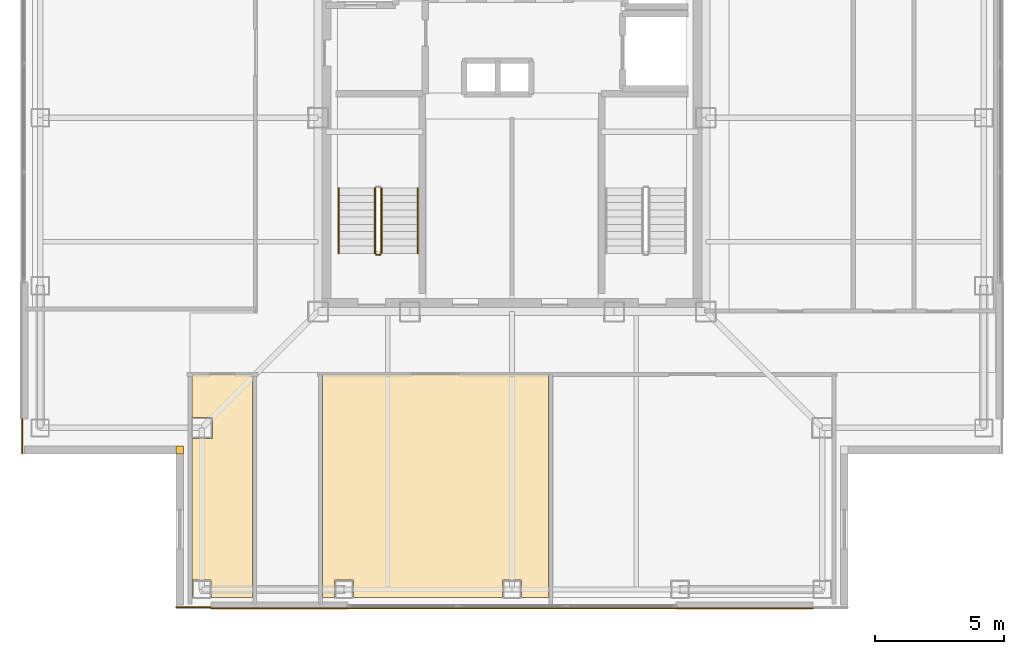
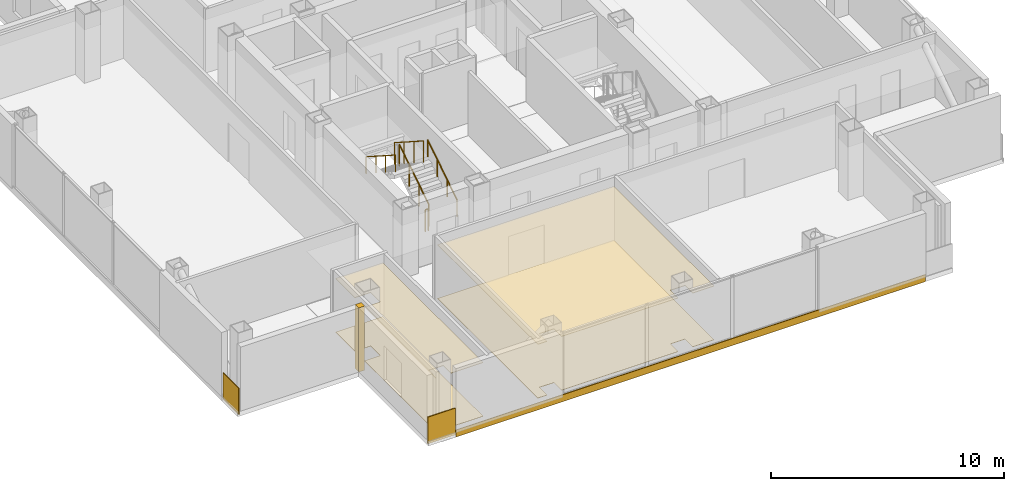
# One storey, part 11 of 16: 8 coverings, 5 railings.
"""IFC4 building model written with IfcOpenShell, lengths in metres."""

import ifcopenshell
import ifcopenshell.guid

model = None  # the IFC model being written
_history = None  # IfcOwnerHistory: only IFC2X3 demands one
_inside = {}  # id of a spatial element -> (the spatial element, [elements in it])
_under = {}  # id of a project, library or spatial element -> (it, [spatial elements below it])
_declared = {}  # id of a project -> (the project, [libraries it declares])
_typed = {}  # id of a type object -> (the type object, [elements of that type])
_made_of = {}  # id of a material, layer set ... -> (it, [elements and type objects made of it])


def new_model(schema):
    """Start an empty IFC model of exactly this schema.

    Asked for "IFC4X3", IfcOpenShell would pick the latest addendum, in which some entities
    have other attributes; the version numbers below select the first issue.
    IFC2X3 requires an IfcOwnerHistory on every rooted entity: one is made here for all.
    """
    global model, _history
    if schema == "IFC4X3":
        model = ifcopenshell.file(schema_version=(4, 3, 0, 0))
    else:
        model = ifcopenshell.file(schema=schema)
    _inside.clear()
    _under.clear()
    _declared.clear()
    _typed.clear()
    _made_of.clear()
    _history = None
    if model.schema == "IFC2X3":
        org = make("IfcOrganization", Name="unknown")
        user = make(
            "IfcPersonAndOrganization",
            ThePerson=make("IfcPerson", FamilyName="unknown"),
            TheOrganization=org,
        )
        app = make(
            "IfcApplication",
            ApplicationDeveloper=org,
            Version="unknown",
            ApplicationFullName="unknown",
            ApplicationIdentifier="unknown",
        )
        _history = make(
            "IfcOwnerHistory",
            OwningUser=user,
            OwningApplication=app,
            ChangeAction="ADDED",
            CreationDate=0,
        )
    return model


def make(cls, **values):
    """One entity of the class cls with the attributes given. An attribute that is None is left unset."""
    return model.create_entity(
        cls, **{name: value for name, value in values.items() if value is not None}
    )


def rooted(cls, **values):
    """An entity with a GlobalId (a new one), such as an element, a storey or a relation."""
    return make(cls, GlobalId=ifcopenshell.guid.new(), OwnerHistory=_history, **values)


def si_unit(unit_type, name, prefix=None):
    """IfcSIUnit, for example si_unit("LENGTHUNIT", "METRE", prefix="MILLI")."""
    return make("IfcSIUnit", UnitType=unit_type, Prefix=prefix, Name=name)


def assignment(units):
    """IfcUnitAssignment: the units of a project."""
    return None if units is None else make("IfcUnitAssignment", Units=units)


def point(xyz):
    """IfcCartesianPoint."""
    return None if xyz is None else make("IfcCartesianPoint", Coordinates=xyz)


def direction(xyz):
    """IfcDirection."""
    return None if xyz is None else make("IfcDirection", DirectionRatios=xyz)


def frame(location, z_axis=None, x_axis=None):
    """IfcAxis2Placement3D, a coordinate frame: its origin and axes. An axis left out is left unset."""
    return make(
        "IfcAxis2Placement3D",
        Location=point(location),
        Axis=direction(z_axis),
        RefDirection=direction(x_axis),
    )


def frame_2d(location, x_axis=None):
    """IfcAxis2Placement2D, a coordinate frame in the plane: its origin and x axis."""
    return make(
        "IfcAxis2Placement2D", Location=point(location), RefDirection=direction(x_axis)
    )


def origin():
    """The frame at (0, 0, 0) with its axes left unset."""
    return frame((0.0, 0.0, 0.0))


def origin_2d():
    """The frame at (0, 0) in the plane with its x axis left unset."""
    return frame_2d((0.0, 0.0))


def place(relative_to, where):
    """IfcLocalPlacement: puts the frame where relative to a parent placement (None: the world)."""
    return make(
        "IfcLocalPlacement", PlacementRelTo=relative_to, RelativePlacement=where
    )


def context(
    kind, dimensions, precision=None, world=None, true_north=None, identifier=None
):
    """IfcGeometricRepresentationContext, for example the 3D "Model" context."""
    return make(
        "IfcGeometricRepresentationContext",
        ContextIdentifier=identifier,
        ContextType=kind,
        CoordinateSpaceDimension=dimensions,
        Precision=precision,
        WorldCoordinateSystem=world,
        TrueNorth=true_north,
    )


def subcontext(parent, identifier, kind, view, scale=None):
    """IfcGeometricRepresentationSubContext, for example "Body" below "Model"."""
    return make(
        "IfcGeometricRepresentationSubContext",
        ContextIdentifier=identifier,
        ContextType=kind,
        ParentContext=parent,
        TargetScale=scale,
        TargetView=view,
    )


def project(units=None, contexts=None):
    """IfcProject with its units and contexts."""
    return rooted(
        "IfcProject",
        Name="project",
        RepresentationContexts=contexts,
        UnitsInContext=assignment(units),
    )


def spatial(cls, under=None, at=None, **own):
    """A site, building, storey or space (cls), placed at a placement, below another one or the project."""
    s = rooted(cls, ObjectPlacement=at, **own)
    if under is not None:
        _under.setdefault(under.id(), (under, []))[1].append(s)
    return s


def polyline(points):
    """IfcPolyline through the points."""
    return make("IfcPolyline", Points=[point(p) for p in points])


def profile(cls, at=None, kind="AREA", **sizes):
    """A parametric profile (cls). Its sizes go by their IFC names, for example OverallWidth=200.0."""
    return make(cls, ProfileType=kind, Position=at, **sizes)


def rectangle(**sizes):
    """IfcRectangleProfileDef."""
    return profile("IfcRectangleProfileDef", **sizes)


def circle(**sizes):
    """IfcCircleProfileDef."""
    return profile("IfcCircleProfileDef", **sizes)


def outline(outer, holes=None, kind="AREA"):
    """IfcArbitraryClosedProfileDef: a profile drawn as a closed curve; with holes, ...WithVoids."""
    if holes is None:
        return make("IfcArbitraryClosedProfileDef", ProfileType=kind, OuterCurve=outer)
    return make(
        "IfcArbitraryProfileDefWithVoids",
        ProfileType=kind,
        OuterCurve=outer,
        InnerCurves=holes,
    )


def extrude(swept, where, along, depth):
    """IfcExtrudedAreaSolid: the profile swept, set in the frame where, extruded along a direction by depth."""
    return make(
        "IfcExtrudedAreaSolid",
        SweptArea=swept,
        Position=where,
        ExtrudedDirection=direction(along),
        Depth=depth,
    )


def shape(context_of_items, identifier, shape_type, items):
    """IfcShapeRepresentation: the items that make up one representation, for example the "Body"."""
    return make(
        "IfcShapeRepresentation",
        ContextOfItems=context_of_items,
        RepresentationIdentifier=identifier,
        RepresentationType=shape_type,
        Items=items,
    )


def material(Name=None, Category=None):
    """IfcMaterial."""
    return make("IfcMaterial", Name=Name, Category=Category)


def layer(
    of_material, thickness, ventilated=None, Name=None, Category=None, Priority=None
):
    """IfcMaterialLayer: one layer of a wall or slab, of a material (None: an air gap)."""
    return make(
        "IfcMaterialLayer",
        Material=of_material,
        LayerThickness=thickness,
        IsVentilated=ventilated,
        Name=Name,
        Category=Category,
        Priority=Priority,
    )


def layer_set(layers, Name=None):
    """IfcMaterialLayerSet."""
    return make("IfcMaterialLayerSet", MaterialLayers=layers, LayerSetName=Name)


def made_of(thing, what):
    """Note that an element or type object is made of a material, layer set ...; save() writes the relation."""
    if what is not None:
        _made_of.setdefault(what.id(), (what, []))[1].append(thing)
    return thing


def type_object(cls, material=None, **own):
    """A type object (cls), such as IfcWallType, which elements share."""
    return made_of(rooted(cls, **own), material)


def element(
    cls,
    number,
    at=None,
    inside=None,
    cuts=None,
    type_object=None,
    material=None,
    context=None,
    identifier="Body",
    shape_type=None,
    held_by="IfcProductDefinitionShape",
    body=None,
    shapes=None,
    **own,
):
    """One element of the class cls, such as IfcWall. Its Tag is "e" and its number.

    at: its placement. inside: the storey or other place that contains it. cuts: it is an
    opening in that element (IfcRelVoidsElement). A single representation is given by context,
    identifier, shape_type and body (its items); several are given by shapes. held_by: the class
    of the entity that holds the representations. save() writes the other relations.
    """
    e = rooted(cls, Tag="e%d" % number, ObjectPlacement=at, **own)
    if body is not None:
        shapes = [shape(context, identifier, shape_type, body)]
    if shapes is not None:
        e.Representation = make(held_by, Representations=shapes)
    if inside is not None:
        _inside.setdefault(inside.id(), (inside, []))[1].append(e)
    if cuts is not None:
        rooted(
            "IfcRelVoidsElement", RelatingBuildingElement=cuts, RelatedOpeningElement=e
        )
    if type_object is not None:
        _typed.setdefault(type_object.id(), (type_object, []))[1].append(e)
    return made_of(e, material)


def aggregate(whole, parts):
    """IfcRelAggregates: a whole, such as a stair, and the parts it consists of."""
    return rooted("IfcRelAggregates", RelatingObject=whole, RelatedObjects=parts)


def save(model, path):
    """Write the relations noted so far, then the file.

    IfcRelAggregates (storeys below a building ...), IfcRelContainedInSpatialStructure (elements
    in a storey), IfcRelDefinesByType, IfcRelAssociatesMaterial and IfcRelDeclares: one each for
    every whole, place, type object, material and project.
    """
    for whole, parts in _under.values():
        aggregate(whole, parts)
    for where, things in _inside.values():
        rooted(
            "IfcRelContainedInSpatialStructure",
            RelatedElements=things,
            RelatingStructure=where,
        )
    for kind, things in _typed.values():
        rooted("IfcRelDefinesByType", RelatedObjects=things, RelatingType=kind)
    for what, things in _made_of.values():
        rooted("IfcRelAssociatesMaterial", RelatedObjects=things, RelatingMaterial=what)
    for by, libraries in _declared.values():
        rooted("IfcRelDeclares", RelatingContext=by, RelatedDefinitions=libraries)
    model.write(path)


model = new_model("IFC4")

# Units and contexts
model_context = context("Model", 3, precision=1e-05, world=origin(), true_north=direction((0.0, 1.0)))
body_context = subcontext(model_context, "Body", "Model", "MODEL_VIEW")
ifc_project = project(units=[si_unit("LENGTHUNIT", "METRE"), si_unit("AREAUNIT", "SQUARE_METRE"), si_unit("VOLUMEUNIT", "CUBIC_METRE"), si_unit("PLANEANGLEUNIT", "RADIAN"), si_unit("MASSUNIT", "GRAM", prefix="KILO")], contexts=[model_context])

# Site, building, storey
site_placement = place(None, origin())
site = spatial("IfcSite", under=ifc_project, at=site_placement, CompositionType="ELEMENT")
building_placement = place(site_placement, origin())
building = spatial("IfcBuilding", under=site, at=building_placement, Name="Trevonay Congress Spire", CompositionType="ELEMENT")
storey_placement = place(building_placement, frame((0.0, 0.0, 268.39990234375)))
storey = spatial("IfcBuildingStorey", under=building, at=storey_placement, Name="L70", CompositionType="ELEMENT", Elevation=268.39990234375)

# Coverings
ifc_material_1 = material(Name="Acoustic Mineral Fibre Board", Category="gypsum")
ifc_layer_1 = layer(ifc_material_1, 0.02490234375, Name="Acoustic Mineral Fibre Board")
ifc_layer_set_1 = layer_set([ifc_layer_1], Name="Acoustic Mineral Fibre Board")
covering_type_1 = type_object("IfcCoveringType", Name="COV-CEIL-ACOUSTIC", PredefinedType="CEILING", material=ifc_layer_set_1)
covering_1_placement = place(storey_placement, frame((0.0, 0.0, 2.81005859375)))
element("IfcCovering", 1, at=covering_1_placement, inside=storey, type_object=covering_type_1, Name="L70 Horizon Telescope Lounge acoustic suspended ceiling", PredefinedType="CEILING", context=body_context, shape_type="SweptSolid", body=[
    extrude(outline(polyline([(-12.3701171875, -18.550048828125), (-12.3701171875, -12.409912109375), (-11.590087890625, -12.409912109375), (-11.590087890625, -11.590087890625), (-12.3701171875, -11.590087890625), (-12.3701171875, -9.929931640625), (-10.030029296875, -9.929931640625), (-10.030029296875, -18.550048828125), (-11.639892578125, -18.550048828125), (-11.639892578125, -17.889892578125), (-12.360107421875, -17.889892578125), (-12.360107421875, -18.550048828125), (-12.3701171875, -18.550048828125)])), origin(), (0.0, 0.0, 1.0), 0.025146484375),
])
covering_2_placement = place(storey_placement, frame((0.0, 0.0, 2.81005859375)))
element("IfcCovering", 2, at=covering_2_placement, inside=storey, type_object=covering_type_1, Name="L70 Contemporary Latin Art Gallery Lounge acoustic suspended ceiling", PredefinedType="CEILING", context=body_context, shape_type="SweptSolid", body=[
    extrude(outline(polyline([(-7.320068359375, -18.550048828125), (-7.320068359375, -9.929931640625), (1.419921875, -9.929931640625), (1.419921875, -18.550048828125), (0.360107421875, -18.550048828125), (0.360107421875, -17.889892578125), (-0.360107421875, -17.889892578125), (-0.360107421875, -18.550048828125), (-6.139892578125, -18.550048828125), (-6.139892578125, -17.889892578125), (-6.860107421875, -17.889892578125), (-6.860107421875, -18.550048828125), (-7.320068359375, -18.550048828125)])), origin(), (0.0, 0.0, 1.0), 0.025146484375),
])
ifc_material_2 = material(Name="Engineered Oak Flooring", Category="wood")
ifc_layer_2 = layer(ifc_material_2, 0.01806640625, Name="Engineered Oak Flooring")
ifc_layer_set_2 = layer_set([ifc_layer_2], Name="Engineered Oak Flooring")
covering_type_2 = type_object("IfcCoveringType", Name="COV-FLOOR-TIMBER", PredefinedType="FLOORING", material=ifc_layer_set_2)
covering_3_placement = place(storey_placement, origin())
element("IfcCovering", 3, at=covering_3_placement, inside=storey, type_object=covering_type_2, Name="L70 Horizon Telescope Lounge floor finish", PredefinedType="FLOORING", context=body_context, shape_type="SweptSolid", body=[
    extrude(outline(polyline([(-12.3701171875, -18.550048828125), (-12.3701171875, -12.409912109375), (-11.590087890625, -12.409912109375), (-11.590087890625, -11.590087890625), (-12.3701171875, -11.590087890625), (-12.3701171875, -9.929931640625), (-10.030029296875, -9.929931640625), (-10.030029296875, -18.550048828125), (-11.639892578125, -18.550048828125), (-11.639892578125, -17.889892578125), (-12.360107421875, -17.889892578125), (-12.360107421875, -18.550048828125), (-12.3701171875, -18.550048828125)])), origin(), (0.0, 0.0, 1.0), 0.01806640625),
])
covering_4_placement = place(storey_placement, origin())
element("IfcCovering", 4, at=covering_4_placement, inside=storey, type_object=covering_type_2, Name="L70 Contemporary Latin Art Gallery Lounge floor finish", PredefinedType="FLOORING", context=body_context, shape_type="SweptSolid", body=[
    extrude(outline(polyline([(-7.320068359375, -18.550048828125), (-7.320068359375, -9.929931640625), (1.419921875, -9.929931640625), (1.419921875, -18.550048828125), (0.360107421875, -18.550048828125), (0.360107421875, -17.889892578125), (-0.360107421875, -17.889892578125), (-0.360107421875, -18.550048828125), (-6.139892578125, -18.550048828125), (-6.139892578125, -17.889892578125), (-6.860107421875, -17.889892578125), (-6.860107421875, -18.550048828125), (-7.320068359375, -18.550048828125)])), origin(), (0.0, 0.0, 1.0), 0.01806640625),
])
ifc_material_3 = material(Name="Pale Anodised Aluminium EN AW-6063-T6", Category="aluminium")
ifc_layer_3 = layer(ifc_material_3, 0.0400390625, Name="Pale Anodised Aluminium EN AW-6063-T6")
ifc_layer_set_3 = layer_set([ifc_layer_3], Name="Pale Anodised Aluminium EN AW-6063-T6")
covering_type_3 = type_object("IfcCoveringType", Name="COV-SPANDREL-PALE-METAL", PredefinedType="CLADDING", material=ifc_layer_set_3)
covering_5_placement = place(storey_placement, frame((-11.64990234375, -18.97998046875, -0.239990234375), z_axis=(0.0, 0.0, 1.0), x_axis=(1.0, 0.0, 0.0)))
element("IfcCovering", 5, at=covering_5_placement, inside=storey, type_object=covering_type_3, Name="L70 S pale-metal slab-edge spandrel cladding", PredefinedType="CLADDING", context=body_context, shape_type="SweptSolid", body=[
    extrude(rectangle(XDim=23.2998046875, YDim=0.0400390625, at=frame_2d((11.64990234375, 0.0))), origin(), (0.0, 0.0, 1.0), 0.360107421875),
])
covering_6_placement = place(storey_placement, origin())
element("IfcCovering", 6, at=covering_6_placement, inside=storey, type_object=covering_type_3, Name="L70 SW re-entrant notch corner closure trim", PredefinedType="CLADDING", context=body_context, shape_type="SweptSolid", body=[
    extrude(outline(polyline([(-13.0, -13.0), (-12.699951171875, -13.0), (-12.699951171875, -12.699951171875), (-13.0, -12.699951171875), (-13.0, -13.0)])), origin(), (0.0, 0.0, 1.0), 3.360107421875),
])
for number, where, z_axis, x_axis, name in (
    (7, (-18.93994140625, -11.64990234375, -0.14990234375), (0.0, 0.0, 1.0), (0.0, -1.0, 0.0), "L70 SW corner pier spandrel cladding 1"),
    (8, (-11.64990234375, -18.93994140625, -0.14990234375), (0.0, 0.0, 1.0), (-1.0, 0.0, 0.0), "L70 SW corner pier spandrel cladding 2"),
):
    element("IfcCovering", number, at=place(storey_placement, frame(where, z_axis=z_axis, x_axis=x_axis)), inside=storey, type_object=covering_type_3, Name=name, PredefinedType="CLADDING", context=body_context, shape_type="SweptSolid", body=[
        extrude(rectangle(XDim=1.35009765625, YDim=0.0400390625, at=frame_2d((0.675048828125, 0.0))), origin(), (0.0, 0.0, 1.0), 1.39990234375),
    ])

# Railings
railing_type_1 = type_object("IfcRailingType", Name="RAL-STAIR-GUARD-110", PredefinedType="GUARDRAIL", material=ifc_material_3)
railing_1_placement = place(storey_placement, frame((-5.050048828125, -5.25, 0.18017578125)))
element("IfcRailing", 9, at=railing_1_placement, inside=storey, type_object=railing_type_1, Name="L70 ST-1 stair guard 1", PredefinedType="GUARDRAIL", context=body_context, shape_type="SweptSolid", body=[
    extrude(circle(Radius=0.02392578125, at=origin_2d()), frame((0.0, 0.0, 1.1259765625), z_axis=(0.0, 0.841199657755, 0.540724639528), x_axis=(-1.0, 0.0, 0.0)), (0.0, 0.0, 1.0), 2.995849609375),
    extrude(circle(Radius=0.02099609375, at=origin_2d()), origin(), (0.0, 0.0, 1.0), 1.101806640625),
    extrude(circle(Radius=0.02099609375, at=origin_2d()), frame((0.0, 0.840087890625, 0.5400390625)), (0.0, 0.0, 1.0), 1.101806640625),
    extrude(circle(Radius=0.02099609375, at=origin_2d()), frame((0.0, 1.679931640625, 1.079833984375)), (0.0, 0.0, 1.0), 1.101806640625),
    extrude(circle(Radius=0.02099609375, at=origin_2d()), frame((0.0, 2.52001953125, 1.619873046875)), (0.0, 0.0, 1.0), 1.101806640625),
])
railing_2_placement = place(storey_placement, frame((-5.300048828125, -2.72998046875, 1.97998046875)))
element("IfcRailing", 10, at=railing_2_placement, inside=storey, type_object=railing_type_1, Name="L70 ST-1 stair guard 3", PredefinedType="GUARDRAIL", context=body_context, shape_type="SweptSolid", body=[
    extrude(circle(Radius=0.02392578125, at=origin_2d()), frame((0.0, 0.0, 1.1259765625), z_axis=(0.0, -0.841162588446, 0.540782303519), x_axis=(1.0, 0.0, 0.0)), (0.0, 0.0, 1.0), 2.995849609375),
    extrude(circle(Radius=0.02099609375, at=origin_2d()), origin(), (0.0, 0.0, 1.0), 1.101806640625),
    extrude(circle(Radius=0.02099609375, at=origin_2d()), frame((0.0, -0.840087890625, 0.5400390625)), (0.0, 0.0, 1.0), 1.101806640625),
    extrude(circle(Radius=0.02099609375, at=origin_2d()), frame((0.0, -1.679931640625, 1.080078125)), (0.0, 0.0, 1.0), 1.101806640625),
    extrude(circle(Radius=0.02099609375, at=origin_2d()), frame((0.0, -2.52001953125, 1.6201171875)), (0.0, 0.0, 1.0), 1.101806640625),
])
railing_3_placement = place(storey_placement, frame((-5.10009765625, -5.300048828125, 0.0)))
element("IfcRailing", 11, at=railing_3_placement, inside=storey, type_object=railing_type_1, Name="L70 ST-1 stair guard 4", PredefinedType="GUARDRAIL", context=body_context, shape_type="SweptSolid", body=[
    extrude(circle(Radius=0.02392578125, at=origin_2d()), frame((0.0, 0.0, 1.1259765625), z_axis=(-1.0, 0.0, 0.0), x_axis=(0.0, -1.0, 0.0)), (0.0, 0.0, 1.0), 0.14990234375),
    extrude(circle(Radius=0.02099609375, at=origin_2d()), origin(), (0.0, 0.0, 1.0), 1.101806640625),
    extrude(circle(Radius=0.02099609375, at=origin_2d()), frame((-0.14990234375, 0.0, 0.0)), (0.0, 0.0, 1.0), 1.101806640625),
])
railing_type_2 = type_object("IfcRailingType", Name="RAL-STAIR-HANDRAIL", PredefinedType="HANDRAIL", material=ifc_material_3)
railing_4_placement = place(storey_placement, frame((-3.64990234375, -5.25, 0.18017578125)))
element("IfcRailing", 12, at=railing_4_placement, inside=storey, type_object=railing_type_2, Name="L70 ST-1 stair handrail 1", PredefinedType="HANDRAIL", context=body_context, shape_type="SweptSolid", body=[
    extrude(circle(Radius=0.02392578125, at=origin_2d()), frame((0.0, 0.0, 0.8759765625), z_axis=(0.0, 0.841199657755, 0.540724639528), x_axis=(-1.0, 0.0, 0.0)), (0.0, 0.0, 1.0), 2.995849609375),
    extrude(circle(Radius=0.02099609375, at=origin_2d()), origin(), (0.0, 0.0, 1.0), 0.851806640625),
    extrude(circle(Radius=0.02099609375, at=origin_2d()), frame((0.0, 0.840087890625, 0.5400390625)), (0.0, 0.0, 1.0), 0.851806640625),
    extrude(circle(Radius=0.02099609375, at=origin_2d()), frame((0.0, 1.679931640625, 1.079833984375)), (0.0, 0.0, 1.0), 0.851806640625),
    extrude(circle(Radius=0.02099609375, at=origin_2d()), frame((0.0, 2.52001953125, 1.619873046875)), (0.0, 0.0, 1.0), 0.851806640625),
])
railing_5_placement = place(storey_placement, frame((-6.699951171875, -2.72998046875, 1.97998046875)))
element("IfcRailing", 13, at=railing_5_placement, inside=storey, type_object=railing_type_2, Name="L70 ST-1 stair handrail 2", PredefinedType="HANDRAIL", context=body_context, shape_type="SweptSolid", body=[
    extrude(circle(Radius=0.02392578125, at=origin_2d()), frame((0.0, 0.0, 0.8759765625), z_axis=(0.0, -0.841162588446, 0.540782303519), x_axis=(1.0, 0.0, 0.0)), (0.0, 0.0, 1.0), 2.995849609375),
    extrude(circle(Radius=0.02099609375, at=origin_2d()), origin(), (0.0, 0.0, 1.0), 0.851806640625),
    extrude(circle(Radius=0.02099609375, at=origin_2d()), frame((0.0, -0.840087890625, 0.5400390625)), (0.0, 0.0, 1.0), 0.851806640625),
    extrude(circle(Radius=0.02099609375, at=origin_2d()), frame((0.0, -1.679931640625, 1.080078125)), (0.0, 0.0, 1.0), 0.851806640625),
    extrude(circle(Radius=0.02099609375, at=origin_2d()), frame((0.0, -2.52001953125, 1.6201171875)), (0.0, 0.0, 1.0), 0.851806640625),
])

save(model, "model.ifc")
